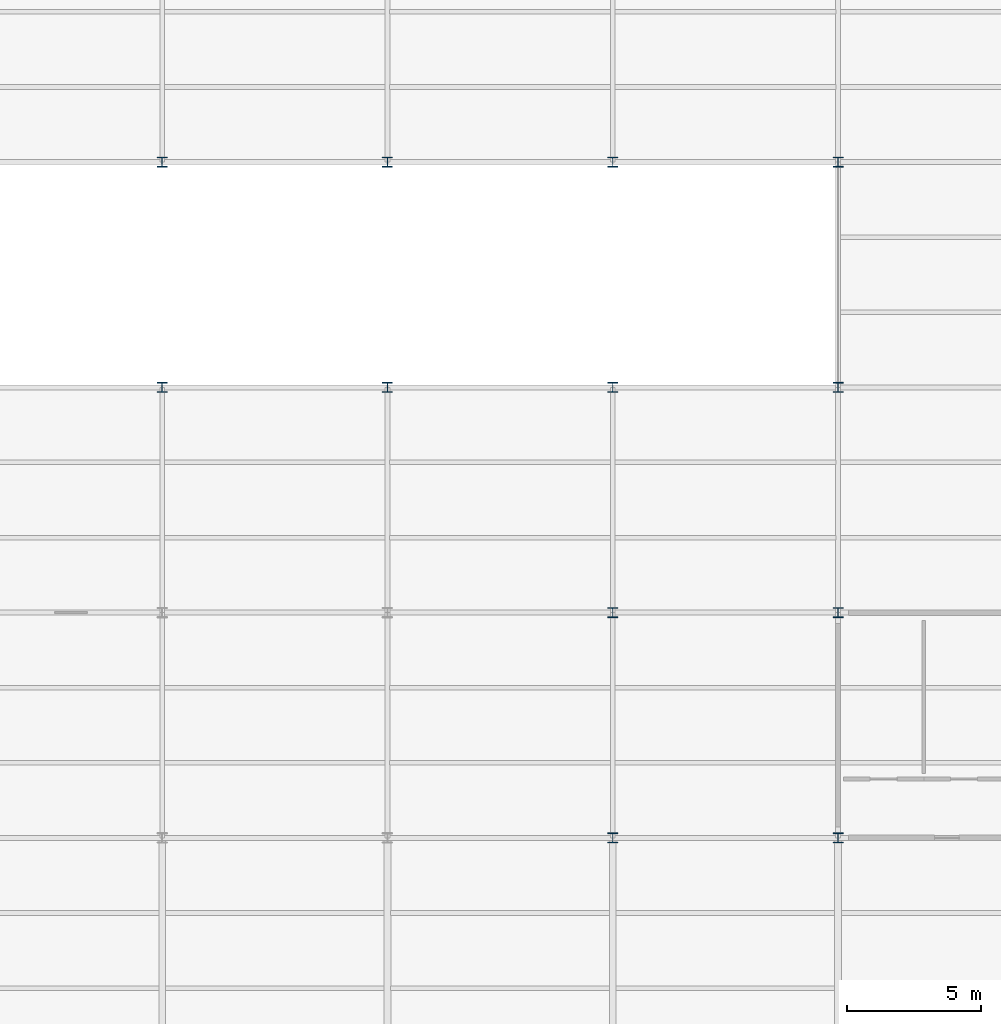
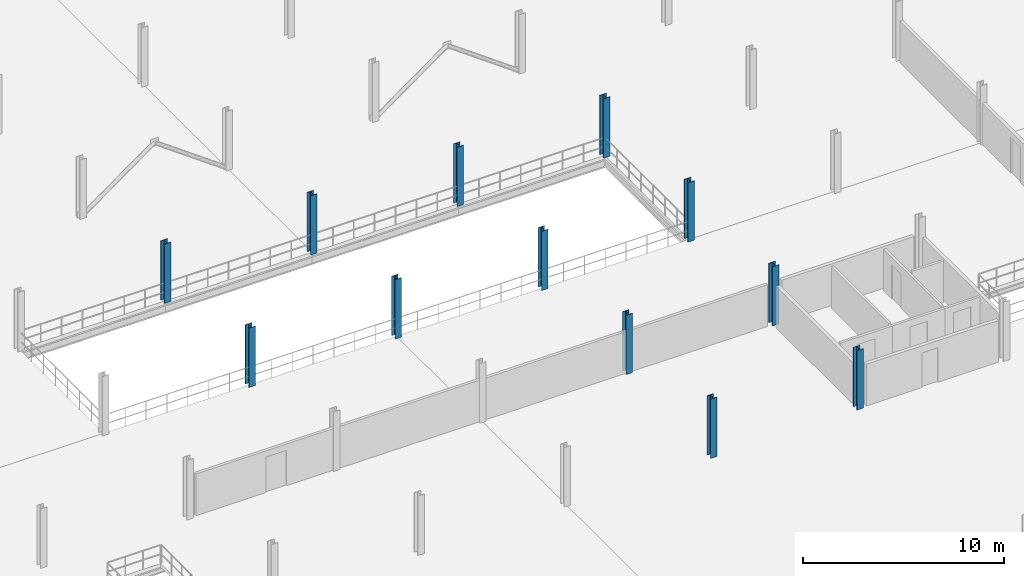
# One storey, part 4 of 74: 12 columns.
"""IFC4 building model written with IfcOpenShell, lengths in metres."""

from ifc_helpers import new_model, si_unit, direction, frame, origin, origin_2d, place, context, subcontext, project, spatial, i_section, extrude, material, material_profile, profile_set, type_object, element, save


model = new_model("IFC4")

# Units and contexts
model_context = context("Model", 3, precision=1e-05, world=origin(), true_north=direction((0.0, 1.0)))
body_context = subcontext(model_context, "Body", "Model", "MODEL_VIEW")
ifc_project = project(units=[si_unit("LENGTHUNIT", "METRE"), si_unit("AREAUNIT", "SQUARE_METRE"), si_unit("VOLUMEUNIT", "CUBIC_METRE"), si_unit("PLANEANGLEUNIT", "RADIAN"), si_unit("MASSUNIT", "GRAM", prefix="KILO"), si_unit("THERMODYNAMICTEMPERATUREUNIT", "KELVIN"), si_unit("POWERUNIT", "WATT")], contexts=[model_context])

# Site, building, storey
site_placement = place(None, origin())
site = spatial("IfcSite", under=ifc_project, at=site_placement, CompositionType="ELEMENT")
building_placement = place(site_placement, origin())
building = spatial("IfcBuilding", under=site, at=building_placement, Name="Tembeka Court Mobility Hub", CompositionType="ELEMENT")
storey_placement = place(building_placement, frame((0.0, 0.0, 12.60009765625)))
storey = spatial("IfcBuildingStorey", under=building, at=storey_placement, Name="L03", CompositionType="ELEMENT", Elevation=12.60009765625)

# Columns
ifc_material = material(Name="Steel S355", Category="steel")
ifc_material_profile = material_profile(ifc_material, i_section(OverallWidth=0.373046875, OverallDepth=0.367919921875, WebThickness=0.014404296875, FlangeThickness=0.023681640625, FilletRadius=0.01513671875, at=origin_2d()), Name="UKC 356x368x177")
ifc_profile_set = profile_set([ifc_material_profile], Name="Steel S355")
column_type = type_object("IfcColumnType", Name="COL-C03", PredefinedType="COLUMN", material=ifc_profile_set)
for number, where, z_axis, x_axis, name in (
    (1, (33.60009765625, 55.199951171875, 0.0), (0.0, 0.0, 1.0), (1.0, 0.0, 0.0), "Column C03 (L03-052)"),
    (2, (33.60009765625, 63.60009765625, 0.0), (0.0, 0.0, 1.0), (1.0, 0.0, 0.0), "Column C03 (L03-053)"),
    (3, (42.0, 55.199951171875, 0.0), (0.0, 0.0, 1.0), (1.0, 0.0, 0.0), "Column C03 (L03-064)"),
    (4, (42.0, 63.60009765625, 0.0), (0.0, 0.0, 1.0), (1.0, 0.0, 0.0), "Column C03 (L03-065)"),
    (5, (50.39990234375, 38.39990234375, 0.0), (0.0, 0.0, 1.0), (1.0, 0.0, 0.0), "Column C03 (L03-074)"),
    (6, (50.39990234375, 46.800048828125, 0.0), (0.0, 0.0, 1.0), (1.0, 0.0, 0.0), "Column C03 (L03-075)"),
    (7, (50.39990234375, 55.199951171875, 0.0), (0.0, 0.0, 1.0), (1.0, 0.0, 0.0), "Column C03 (L03-076)"),
    (8, (50.39990234375, 63.60009765625, 0.0), (0.0, 0.0, 1.0), (1.0, 0.0, 0.0), "Column C03 (L03-077)"),
    (9, (58.800048828125, 38.39990234375, 0.0), (0.0, 0.0, 1.0), (1.0, 0.0, 0.0), "Column C03 (L03-085)"),
    (10, (58.800048828125, 46.800048828125, 0.0), (0.0, 0.0, 1.0), (1.0, 0.0, 0.0), "Column C03 (L03-086)"),
    (11, (58.800048828125, 55.199951171875, 0.0), (0.0, 0.0, 1.0), (1.0, 0.0, 0.0), "Column C03 (L03-087)"),
    (12, (58.800048828125, 63.60009765625, 0.0), (0.0, 0.0, 1.0), (1.0, 0.0, 0.0), "Column C03 (L03-088)"),
):
    element("IfcColumn", number, at=place(storey_placement, frame(where, z_axis=z_axis, x_axis=x_axis)), inside=storey, type_object=column_type, Name=name, PredefinedType="COLUMN", context=body_context, shape_type="SweptSolid", body=[
        extrude(i_section(OverallWidth=0.373046875, OverallDepth=0.367919921875, WebThickness=0.014404296875, FlangeThickness=0.023681640625, FilletRadius=0.01513671875, at=origin_2d()), origin(), (0.0, 0.0, 1.0), 3.599853515625),
    ])

save(model, "model.ifc")
